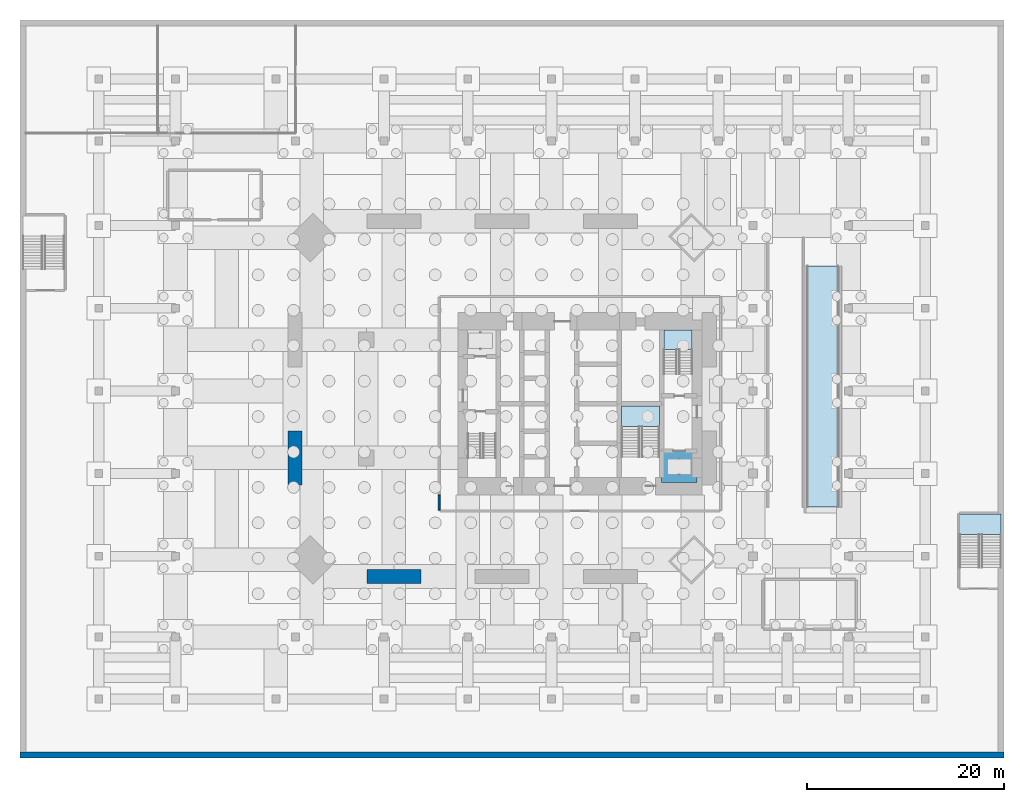
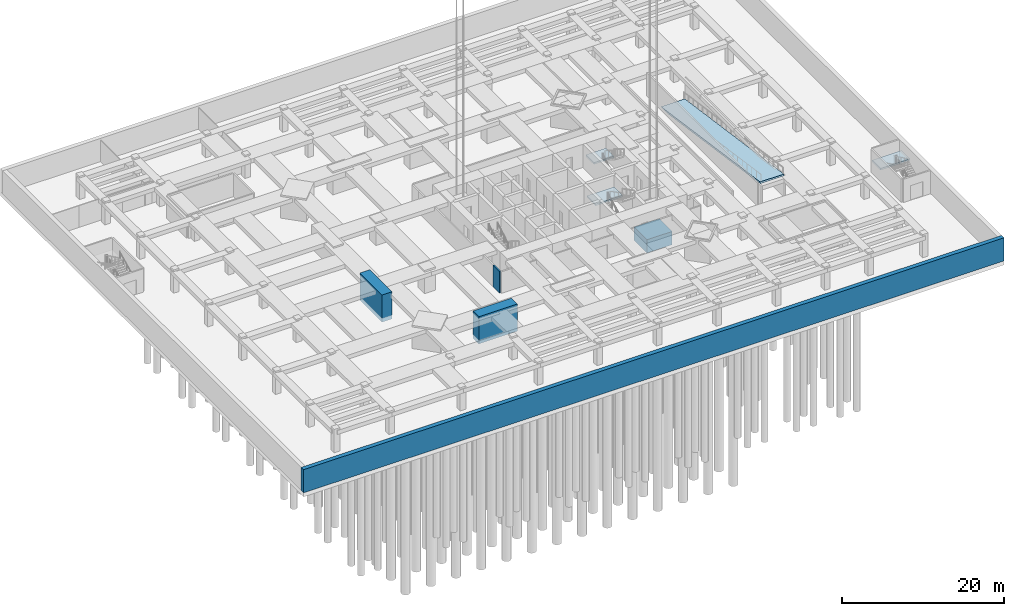
# One storey, part 6 of 15: 5 slabs, 4 walls, 3 elements without a shape of their own.
"""IFC4 building model written with IfcOpenShell, lengths in metres."""

from ifc_helpers import new_model, si_unit, direction, frame, frame_2d, origin, place, context, subcontext, project, spatial, polyline, rectangle, outline, extrude, faceted_brep, material, layer, layer_set, constituent, constituent_set, type_object, element, aggregate, save


model = new_model("IFC4")

# Units and contexts
model_context = context("Model", 3, precision=1e-05, world=origin(), true_north=direction((0.0, 1.0)))
body_context = subcontext(model_context, "Body", "Model", "MODEL_VIEW")
ifc_project = project(units=[si_unit("LENGTHUNIT", "METRE"), si_unit("AREAUNIT", "SQUARE_METRE"), si_unit("VOLUMEUNIT", "CUBIC_METRE"), si_unit("PLANEANGLEUNIT", "RADIAN"), si_unit("MASSUNIT", "GRAM", prefix="KILO")], contexts=[model_context])

# Site, building, storey
site_placement = place(None, origin())
site = spatial("IfcSite", under=ifc_project, at=site_placement, CompositionType="ELEMENT")
building_placement = place(site_placement, origin())
building = spatial("IfcBuilding", under=site, at=building_placement, Name="Jalousie Tower", CompositionType="ELEMENT")
storey_placement = place(building_placement, frame((0.0, 0.0, -7.5)))
storey = spatial("IfcBuildingStorey", under=building, at=storey_placement, Name="B2", CompositionType="ELEMENT", Elevation=-7.5)

# Slabs
ifc_material_1 = material(Name="Concrete f'c 40 MPa", Category="concrete")
ifc_layer_1 = layer(ifc_material_1, 0.280029296875)
ifc_layer_set_1 = layer_set([ifc_layer_1], Name="Concrete f'c 40 MPa")
slab_type_1 = type_object("IfcSlabType", Name="CAR RAMP SLAB 280", PredefinedType="USERDEFINED", material=ifc_layer_set_1)
slab_1_placement = place(storey_placement, frame((56.60009765625, 32.5, 0.0), z_axis=(0.0, 0.0, 1.0), x_axis=(0.0, -1.0, 0.0)))
element("IfcSlab", 1, at=slab_1_placement, inside=storey, type_object=slab_type_1, material=ifc_layer_set_1, Name="Car ramp 2 slab", ObjectType="VEHICLE RAMP", PredefinedType="USERDEFINED", context=body_context, shape_type="Brep", body=[
    faceted_brep([(0.0, 1.7001953125, 0.0), (24.5, 1.7001953125, 3.5), (24.5, 1.7001953125, 3.217041015625), (0.0, -1.7001953125, 0.0), (24.5, -1.7001953125, 3.217041015625), (24.5, -1.7001953125, 3.5), (1.97998046875, 1.7001953125, 0.0), (1.97998046875, -1.7001953125, 0.0)], [[[0, 1, 2]], [[3, 4, 5]], [[0, 2, 6]], [[3, 7, 4]], [[0, 5, 1]], [[0, 3, 5]], [[1, 4, 2]], [[1, 5, 4]], [[2, 7, 6]], [[2, 4, 7]], [[6, 3, 0]], [[6, 7, 3]]]),
])
ifc_material_2 = material(Name="Concrete f'c 40 MPa", Category="concrete")
ifc_layer_2 = layer(ifc_material_2, 2.0)
ifc_layer_set_2 = layer_set([ifc_layer_2], Name="Concrete f'c 40 MPa")
slab_type_2 = type_object("IfcSlabType", Name="LIFT PIT PLUG 2000", PredefinedType="BASESLAB", material=ifc_layer_set_2)
slab_2_placement = place(storey_placement, frame((0.0, 0.0, -3.60009765625)))
element("IfcSlab", 2, at=slab_2_placement, inside=storey, type_object=slab_type_2, Name="Lift F2 pit base", PredefinedType="BASESLAB", context=body_context, shape_type="SweptSolid", body=[
    extrude(outline(polyline([(40.199951171875, 10.5), (43.800048828125, 10.5), (43.800048828125, 13.699951171875), (40.199951171875, 13.699951171875), (40.199951171875, 10.5)])), origin(), (0.0, 0.0, 1.0), 2.0),
])

# Stair, slab
ifc_material_3 = material(Name="Concrete f'c 40 MPa", Category="concrete")
stair_type_1 = type_object("IfcStairType", Name="EXIT STAIR", PredefinedType="HALF_TURN_STAIR", material=ifc_material_3)
stair_1_placement = place(storey_placement, origin())
stair_1 = element("IfcStair", 3, at=stair_1_placement, inside=storey, type_object=stair_type_1, Name="Exit stair B B2", PredefinedType="HALF_TURN_STAIR")
ifc_material_4 = material(Name="Concrete f'c 40 MPa", Category="concrete")
ifc_layer_3 = layer(ifc_material_4, 0.25)
ifc_layer_set_3 = layer_set([ifc_layer_3], Name="Concrete f'c 40 MPa")
slab_type_3 = type_object("IfcSlabType", Name="STAIR LANDING 250", PredefinedType="LANDING", material=ifc_layer_set_3)
slab_3_placement = place(storey_placement, frame((0.0, 0.0, 1.5)))
slab_3 = element("IfcSlab", 4, at=slab_3_placement, type_object=slab_type_3, Name="ST-B landing 1", PredefinedType="LANDING", context=body_context, shape_type="SweptSolid", body=[
    extrude(outline(polyline([(40.425048828125, 24.0224609375), (43.300048828125, 24.0224609375), (43.300048828125, 26.0), (40.425048828125, 26.0), (40.425048828125, 24.0224609375)])), origin(), (0.0, 0.0, 1.0), 0.25),
])
aggregate(stair_1, [slab_3])

stair_2_placement = place(storey_placement, origin())
stair_2 = element("IfcStair", 5, at=stair_2_placement, inside=storey, type_object=stair_type_1, Name="Exit stair C B2", PredefinedType="HALF_TURN_STAIR")
slab_4_placement = place(storey_placement, frame((0.0, 0.0, 1.5)))
slab_4 = element("IfcSlab", 6, at=slab_4_placement, type_object=slab_type_3, Name="ST-C landing 1", PredefinedType="LANDING", context=body_context, shape_type="SweptSolid", body=[
    extrude(outline(polyline([(36.125, 16.177490234375), (39.97509765625, 16.177490234375), (39.97509765625, 18.27490234375), (36.125, 18.27490234375), (36.125, 16.177490234375)])), origin(), (0.0, 0.0, 1.0), 0.25),
])
aggregate(stair_2, [slab_4])

ifc_material_5 = material(Name="Concrete f'c 40 MPa", Category="concrete")
stair_type_2 = type_object("IfcStairType", Name="WIDE EXIT STAIR", PredefinedType="HALF_TURN_STAIR", material=ifc_material_5)
stair_3_placement = place(storey_placement, origin())
stair_3 = element("IfcStair", 7, at=stair_3_placement, inside=storey, type_object=stair_type_2, Name="Exit stair BS2 B2", PredefinedType="HALF_TURN_STAIR")
slab_5_placement = place(storey_placement, frame((0.0, 0.0, 1.5)))
slab_5 = element("IfcSlab", 8, at=slab_5_placement, type_object=slab_type_3, Name="BS2 landing 1", PredefinedType="LANDING", context=body_context, shape_type="SweptSolid", body=[
    extrude(outline(polyline([(70.5, 5.22998046875), (74.699951171875, 5.22998046875), (74.699951171875, 7.300048828125), (70.5, 7.300048828125), (70.5, 5.22998046875)])), origin(), (0.0, 0.0, 1.0), 0.25),
])
aggregate(stair_3, [slab_5])

# Walls
ifc_material_6 = material(Name="Concrete f'c 120 MPa", Category="concrete")
ifc_layer_4 = layer(ifc_material_6, 0.60009765625)
ifc_layer_set_4 = layer_set([ifc_layer_4], Name="Concrete f'c 120 MPa")
wall_type_1 = type_object("IfcWallType", Name="BASEMENT RETAINING WALL 600", PredefinedType="SOLIDWALL", material=ifc_layer_set_4)
wall_1_placement = place(storey_placement, frame((-25.0, -17.199951171875, 0.0), z_axis=(0.0, 0.0, 1.0), x_axis=(1.0, 0.0, 0.0)))
element("IfcWall", 9, at=wall_1_placement, inside=storey, type_object=wall_type_1, Name="Basement wall S B2", PredefinedType="SOLIDWALL", context=body_context, shape_type="SweptSolid", body=[
    extrude(rectangle(XDim=100.0, YDim=0.60009765625, at=frame_2d((50.0, 0.0))), origin(), (0.0, 0.0, 1.0), 3.5),
])
ifc_material_7 = material(Name="Concrete block ASTM C90", Category="concrete")
ifc_constituent_1 = constituent(ifc_material_7, Name="Body")
ifc_material_8 = material(Name="Render")
ifc_constituent_2 = constituent(ifc_material_8, Name="Finish")
ifc_constituent_set = constituent_set(constituents=[ifc_constituent_1, ifc_constituent_2])
wall_type_2 = type_object("IfcWallType", Name="CORRIDOR WALL 200", PredefinedType="PARTITIONING", material=ifc_constituent_set)
wall_2_placement = place(storey_placement, frame((17.60009765625, 7.699951171875, 0.0), z_axis=(0.0, 0.0, 1.0), x_axis=(0.0, 1.0, 0.0)))
element("IfcWall", 10, at=wall_2_placement, inside=storey, type_object=wall_type_2, Name="Corridor Wall 200 B2", PredefinedType="PARTITIONING", context=body_context, shape_type="SweptSolid", body=[
    extrude(rectangle(XDim=1.550048828125, YDim=0.199951171875, at=frame_2d((0.77490234375, 0.0))), origin(), (0.0, 0.0, 1.0), 3.260009765625),
])
ifc_material_9 = material(Name="Concrete f'c 120 MPa", Category="concrete")
ifc_layer_5 = layer(ifc_material_9, 1.449951171875)
ifc_layer_set_5 = layer_set([ifc_layer_5], Name="Concrete f'c 120 MPa")
wall_type_3 = type_object("IfcWallType", Name="RC WALL PIER 1450", PredefinedType="SHEAR", material=ifc_layer_set_5)
for number, where, z_axis, x_axis, name in (
    (11, (10.25, 0.949951171875, -0.60009765625), (0.0, 0.0, 1.0), (1.0, 0.0, 0.0), "Wall pier 02 B2"),
    (12, (2.949951171875, 10.25, -0.60009765625), (0.0, 0.0, 1.0), (0.0, 1.0, 0.0), "Wall pier 14 B2"),
):
    element("IfcWall", number, at=place(storey_placement, frame(where, z_axis=z_axis, x_axis=x_axis)), inside=storey, type_object=wall_type_3, Name=name, PredefinedType="SHEAR", context=body_context, shape_type="SweptSolid", body=[
        extrude(rectangle(XDim=5.5, YDim=1.449951171875, at=frame_2d((2.75, 0.0))), origin(), (0.0, 0.0, 1.0), 4.10009765625),
    ])

save(model, "model.ifc")
